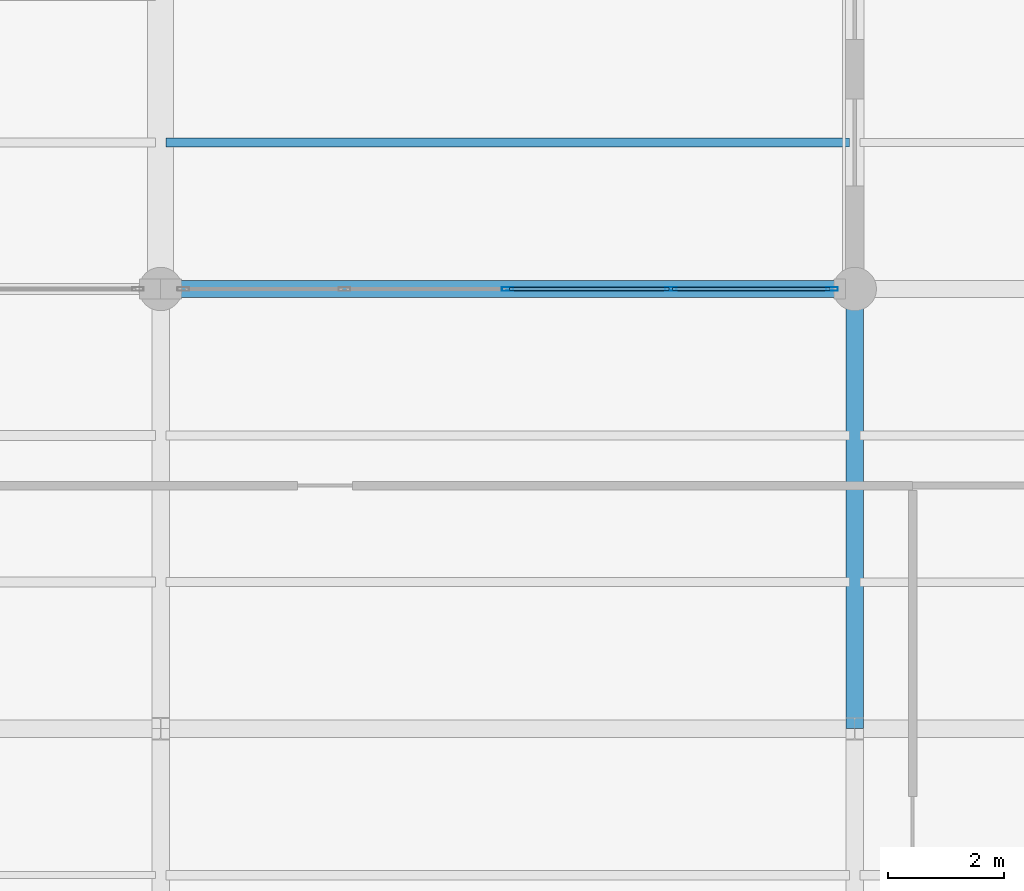
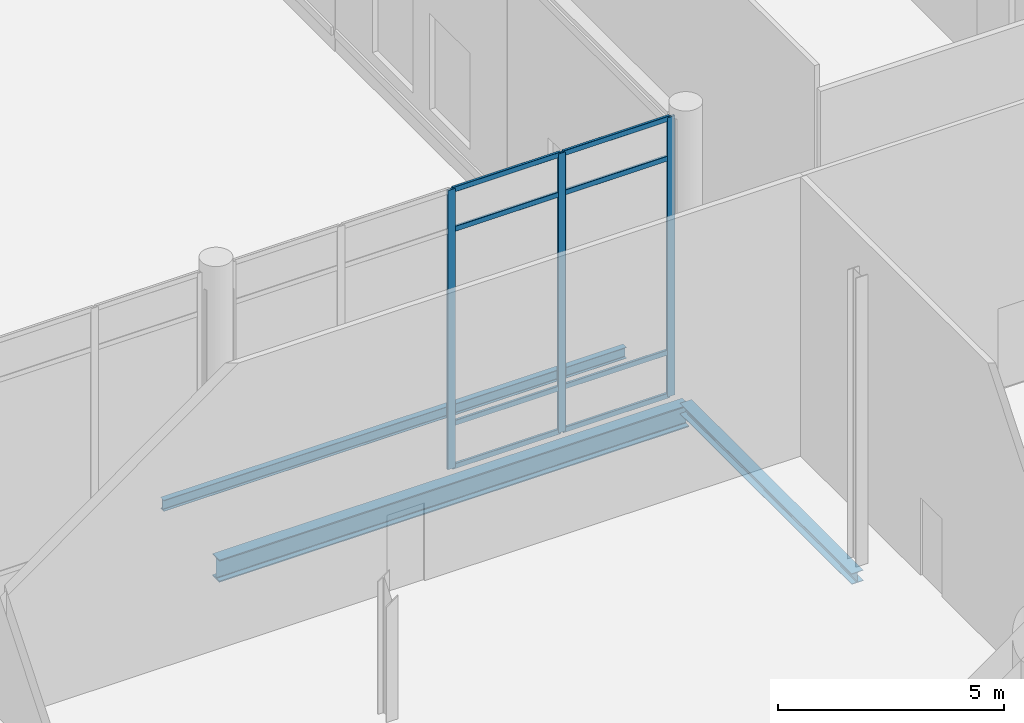
# One storey, part 83 of 176: 11 members, 3 beams, 1 element without a shape of its own.
"""IFC4 building model written with IfcOpenShell, lengths in metres."""

from ifc_helpers import new_model, si_unit, direction, frame, origin, origin_2d, place, context, subcontext, project, spatial, hollow_rectangle, i_section, extrude, material, layer, layer_set, material_profile, profile_set, type_object, element, aggregate, save


model = new_model("IFC4")

# Units and contexts
model_context = context("Model", 3, precision=1e-05, world=origin(), true_north=direction((0.0, 1.0)))
body_context = subcontext(model_context, "Body", "Model", "MODEL_VIEW")
ifc_project = project(units=[si_unit("LENGTHUNIT", "METRE"), si_unit("AREAUNIT", "SQUARE_METRE"), si_unit("VOLUMEUNIT", "CUBIC_METRE"), si_unit("PLANEANGLEUNIT", "RADIAN"), si_unit("MASSUNIT", "GRAM", prefix="KILO")], contexts=[model_context])

# Site, building, storey
site_placement = place(None, origin())
site = spatial("IfcSite", under=ifc_project, at=site_placement, CompositionType="ELEMENT")
building_placement = place(site_placement, origin())
building = spatial("IfcBuilding", under=site, at=building_placement, Name="Vekula Escarpment Museum", CompositionType="ELEMENT")
storey_placement = place(building_placement, origin())
storey = spatial("IfcBuildingStorey", under=building, at=storey_placement, Name="L01", CompositionType="ELEMENT", Elevation=0.0)

# Beams
ifc_material_1 = material(Name="Steel S355", Category="steel")
ifc_material_profile_1 = material_profile(ifc_material_1, i_section(OverallWidth=0.300048828125, OverallDepth=0.60009765625, WebThickness=0.015380859375, FlangeThickness=0.030029296875, FilletRadius=0.027099609375, at=origin_2d()), Name="HEB 600")
ifc_profile_set_1 = profile_set([ifc_material_profile_1], Name="Steel S355")
beam_type_1 = type_object("IfcBeamType", Name="BM-GIRD-HEB600", PredefinedType="BEAM", material=ifc_profile_set_1)
beam_1_placement = place(storey_placement, frame((155.0, 15.199951171875, -0.60009765625), z_axis=(1.0, 0.0, 0.0), x_axis=(0.0, 1.0, 0.0)))
element("IfcBeam", 1, at=beam_1_placement, inside=storey, type_object=beam_type_1, Name="Beam X L01 0065", PredefinedType="BEAM", context=body_context, shape_type="SweptSolid", body=[
    extrude(i_section(OverallWidth=0.300048828125, OverallDepth=0.60009765625, WebThickness=0.015380859375, FlangeThickness=0.030029296875, FilletRadius=0.027099609375, at=origin_2d()), origin(), (0.0, 0.0, 1.0), 12.0),
])
ifc_material_2 = material(Name="Steel S355", Category="steel")
ifc_material_profile_2 = material_profile(ifc_material_2, i_section(OverallWidth=0.14990234375, OverallDepth=0.300048828125, WebThickness=0.007080078125, FlangeThickness=0.0107421875, FilletRadius=0.014892578125, at=origin_2d()), Name="IPE 300")
ifc_profile_set_2 = profile_set([ifc_material_profile_2], Name="Steel S355")
beam_type_2 = type_object("IfcBeamType", Name="BM-JST-IPE300", PredefinedType="JOIST", material=ifc_profile_set_2)
beam_2_placement = place(storey_placement, frame((155.090087890625, 17.7333984375, -0.449951171875), z_axis=(1.0, 0.0, 0.0), x_axis=(0.0, 1.0, 0.0)))
element("IfcBeam", 2, at=beam_2_placement, inside=storey, type_object=beam_type_2, Name="Secondary Joist L01 0511", PredefinedType="JOIST", context=body_context, shape_type="SweptSolid", body=[
    extrude(i_section(OverallWidth=0.14990234375, OverallDepth=0.300048828125, WebThickness=0.007080078125, FlangeThickness=0.0107421875, FilletRadius=0.014892578125, at=origin_2d()), origin(), (0.0, 0.0, 1.0), 11.81982421875),
])
ifc_material_3 = material(Name="Steel S355", Category="steel")
ifc_material_profile_3 = material_profile(ifc_material_3, i_section(OverallWidth=0.300048828125, OverallDepth=0.2900390625, WebThickness=0.008544921875, FlangeThickness=0.013916015625, FilletRadius=0.027099609375, at=origin_2d()), Name="HEA 300")
ifc_profile_set_3 = profile_set([ifc_material_profile_3], Name="Steel S355")
beam_type_3 = type_object("IfcBeamType", Name="BM-SPAN-HEA300", PredefinedType="SPANDREL", material=ifc_profile_set_3)
beam_3_placement = place(storey_placement, frame((167.0, 7.60009765625, -0.445068359375), z_axis=(0.0, 1.0, 0.0), x_axis=(-1.0, 0.0, 0.0)))
element("IfcBeam", 3, at=beam_3_placement, inside=storey, type_object=beam_type_3, Name="Beam Y L01 0726", PredefinedType="SPANDREL", context=body_context, shape_type="SweptSolid", body=[
    extrude(i_section(OverallWidth=0.300048828125, OverallDepth=0.2900390625, WebThickness=0.008544921875, FlangeThickness=0.013916015625, FilletRadius=0.027099609375, at=origin_2d()), origin(), (0.0, 0.0, 1.0), 7.599853515625),
])

# Curtain wall, members
ifc_material_4 = material(Name="Aluminium thermally broken framing", Category="aluminium")
ifc_layer = layer(ifc_material_4, 0.139892578125)
ifc_layer_set = layer_set([ifc_layer], Name="Aluminium thermally broken framing")
curtain_wall_type = type_object("IfcCurtainWallType", Name="CW-SYS-06", PredefinedType="NOTDEFINED", material=ifc_layer_set)
curtain_wall_placement = place(storey_placement, origin())
curtain_wall = element("IfcCurtainWall", 4, at=curtain_wall_placement, inside=storey, type_object=curtain_wall_type, Name="Curtain Wall CW-L01-016", PredefinedType="NOTDEFINED")
ifc_material_5 = material(Name="Aluminium anodized mullion", Category="aluminium")
ifc_material_profile_4 = material_profile(ifc_material_5, hollow_rectangle(XDim=0.06494140625, YDim=0.199951171875, WallThickness=0.00390625, InnerFilletRadius=0.00390625, OuterFilletRadius=0.008056640625, at=origin_2d()), Name="ALU 200x65x4")
ifc_profile_set_4 = profile_set([ifc_material_profile_4], Name="Aluminium anodized mullion")
member_type_1 = type_object("IfcMemberType", Name="CW-MUL-200", PredefinedType="MULLION", material=ifc_profile_set_4)
member_1_placement = place(storey_placement, frame((166.607421875, 15.199951171875, 0.0), z_axis=(0.0, 0.0, 1.0), x_axis=(0.0, -1.0, 0.0)))
member_1 = element("IfcMember", 5, at=member_1_placement, type_object=member_type_1, Name="CW-06 mullion 1", PredefinedType="MULLION", context=body_context, shape_type="SweptSolid", body=[
    extrude(hollow_rectangle(XDim=0.06494140625, YDim=0.199951171875, WallThickness=0.00390625, InnerFilletRadius=0.00390625, OuterFilletRadius=0.008056640625, at=origin_2d()), origin(), (0.0, 0.0, 1.0), 7.5400390625),
])
member_2_placement = place(storey_placement, frame((163.820068359375, 15.199951171875, 0.0), z_axis=(0.0, 0.0, 1.0), x_axis=(0.0, -1.0, 0.0)))
member_2 = element("IfcMember", 6, at=member_2_placement, type_object=member_type_1, Name="CW-06 mullion 2", PredefinedType="MULLION", context=body_context, shape_type="SweptSolid", body=[
    extrude(hollow_rectangle(XDim=0.06494140625, YDim=0.199951171875, WallThickness=0.00390625, InnerFilletRadius=0.00390625, OuterFilletRadius=0.008056640625, at=origin_2d()), origin(), (0.0, 0.0, 1.0), 7.5400390625),
])
member_3_placement = place(storey_placement, frame((161.0, 15.199951171875, 0.0), z_axis=(0.0, 0.0, 1.0), x_axis=(0.0, -1.0, 0.0)))
member_3 = element("IfcMember", 7, at=member_3_placement, type_object=member_type_1, Name="CW-06 mullion 3", PredefinedType="MULLION", context=body_context, shape_type="SweptSolid", body=[
    extrude(hollow_rectangle(XDim=0.06494140625, YDim=0.199951171875, WallThickness=0.00390625, InnerFilletRadius=0.00390625, OuterFilletRadius=0.008056640625, at=origin_2d()), origin(), (0.0, 0.0, 1.0), 7.5400390625),
])
ifc_material_6 = material(Name="Aluminium anodized transom", Category="aluminium")
ifc_material_profile_5 = material_profile(ifc_material_6, hollow_rectangle(XDim=0.06494140625, YDim=0.139892578125, WallThickness=0.00390625, InnerFilletRadius=0.00390625, OuterFilletRadius=0.008056640625, at=origin_2d()), Name="ALU 140x65x4")
ifc_profile_set_5 = profile_set([ifc_material_profile_5], Name="Aluminium anodized transom")
member_type_2 = type_object("IfcMemberType", Name="CW-TRN-140", PredefinedType="USERDEFINED", material=ifc_profile_set_5)
member_4_placement = place(storey_placement, frame((166.574951171875, 15.199951171875, 0.032470703125), z_axis=(-1.0, 0.0, 0.0), x_axis=(0.0, -1.0, 0.0)))
member_4 = element("IfcMember", 8, at=member_4_placement, type_object=member_type_2, Name="CW-06 transom 1.1", ObjectType="TRANSOM", PredefinedType="USERDEFINED", context=body_context, shape_type="SweptSolid", body=[
    extrude(hollow_rectangle(XDim=0.06494140625, YDim=0.139892578125, WallThickness=0.00390625, InnerFilletRadius=0.00390625, OuterFilletRadius=0.008056640625, at=origin_2d()), origin(), (0.0, 0.0, 1.0), 2.722412109375),
])
member_5_placement = place(storey_placement, frame((166.574951171875, 15.199951171875, 1.199951171875), z_axis=(-1.0, 0.0, 0.0), x_axis=(0.0, -1.0, 0.0)))
member_5 = element("IfcMember", 9, at=member_5_placement, type_object=member_type_2, Name="CW-06 transom 1.2", ObjectType="TRANSOM", PredefinedType="USERDEFINED", context=body_context, shape_type="SweptSolid", body=[
    extrude(hollow_rectangle(XDim=0.06494140625, YDim=0.139892578125, WallThickness=0.00390625, InnerFilletRadius=0.00390625, OuterFilletRadius=0.008056640625, at=origin_2d()), origin(), (0.0, 0.0, 1.0), 2.722412109375),
])
member_6_placement = place(storey_placement, frame((166.574951171875, 15.199951171875, 6.43994140625), z_axis=(-1.0, 0.0, 0.0), x_axis=(0.0, -1.0, 0.0)))
member_6 = element("IfcMember", 10, at=member_6_placement, type_object=member_type_2, Name="CW-06 transom 1.3", ObjectType="TRANSOM", PredefinedType="USERDEFINED", context=body_context, shape_type="SweptSolid", body=[
    extrude(hollow_rectangle(XDim=0.06494140625, YDim=0.139892578125, WallThickness=0.00390625, InnerFilletRadius=0.00390625, OuterFilletRadius=0.008056640625, at=origin_2d()), origin(), (0.0, 0.0, 1.0), 2.722412109375),
])
member_7_placement = place(storey_placement, frame((166.574951171875, 15.199951171875, 7.507568359375), z_axis=(-1.0, 0.0, 0.0), x_axis=(0.0, -1.0, 0.0)))
member_7 = element("IfcMember", 11, at=member_7_placement, type_object=member_type_2, Name="CW-06 transom 1.4", ObjectType="TRANSOM", PredefinedType="USERDEFINED", context=body_context, shape_type="SweptSolid", body=[
    extrude(hollow_rectangle(XDim=0.06494140625, YDim=0.139892578125, WallThickness=0.00390625, InnerFilletRadius=0.00390625, OuterFilletRadius=0.008056640625, at=origin_2d()), origin(), (0.0, 0.0, 1.0), 2.722412109375),
])
member_8_placement = place(storey_placement, frame((163.78759765625, 15.199951171875, 0.032470703125), z_axis=(-1.0, 0.0, 0.0), x_axis=(0.0, -1.0, 0.0)))
member_8 = element("IfcMember", 12, at=member_8_placement, type_object=member_type_2, Name="CW-06 transom 2.1", ObjectType="TRANSOM", PredefinedType="USERDEFINED", context=body_context, shape_type="SweptSolid", body=[
    extrude(hollow_rectangle(XDim=0.06494140625, YDim=0.139892578125, WallThickness=0.00390625, InnerFilletRadius=0.00390625, OuterFilletRadius=0.008056640625, at=origin_2d()), origin(), (0.0, 0.0, 1.0), 2.755126953125),
])
member_9_placement = place(storey_placement, frame((163.78759765625, 15.199951171875, 1.199951171875), z_axis=(-1.0, 0.0, 0.0), x_axis=(0.0, -1.0, 0.0)))
member_9 = element("IfcMember", 13, at=member_9_placement, type_object=member_type_2, Name="CW-06 transom 2.2", ObjectType="TRANSOM", PredefinedType="USERDEFINED", context=body_context, shape_type="SweptSolid", body=[
    extrude(hollow_rectangle(XDim=0.06494140625, YDim=0.139892578125, WallThickness=0.00390625, InnerFilletRadius=0.00390625, OuterFilletRadius=0.008056640625, at=origin_2d()), origin(), (0.0, 0.0, 1.0), 2.755126953125),
])
member_10_placement = place(storey_placement, frame((163.78759765625, 15.199951171875, 6.43994140625), z_axis=(-1.0, 0.0, 0.0), x_axis=(0.0, -1.0, 0.0)))
member_10 = element("IfcMember", 14, at=member_10_placement, type_object=member_type_2, Name="CW-06 transom 2.3", ObjectType="TRANSOM", PredefinedType="USERDEFINED", context=body_context, shape_type="SweptSolid", body=[
    extrude(hollow_rectangle(XDim=0.06494140625, YDim=0.139892578125, WallThickness=0.00390625, InnerFilletRadius=0.00390625, OuterFilletRadius=0.008056640625, at=origin_2d()), origin(), (0.0, 0.0, 1.0), 2.755126953125),
])
member_11_placement = place(storey_placement, frame((163.78759765625, 15.199951171875, 7.507568359375), z_axis=(-1.0, 0.0, 0.0), x_axis=(0.0, -1.0, 0.0)))
member_11 = element("IfcMember", 15, at=member_11_placement, type_object=member_type_2, Name="CW-06 transom 2.4", ObjectType="TRANSOM", PredefinedType="USERDEFINED", context=body_context, shape_type="SweptSolid", body=[
    extrude(hollow_rectangle(XDim=0.06494140625, YDim=0.139892578125, WallThickness=0.00390625, InnerFilletRadius=0.00390625, OuterFilletRadius=0.008056640625, at=origin_2d()), origin(), (0.0, 0.0, 1.0), 2.755126953125),
])
aggregate(curtain_wall, [member_1, member_2, member_3, member_4, member_5, member_6, member_7, member_8, member_9, member_10, member_11])

save(model, "model.ifc")
